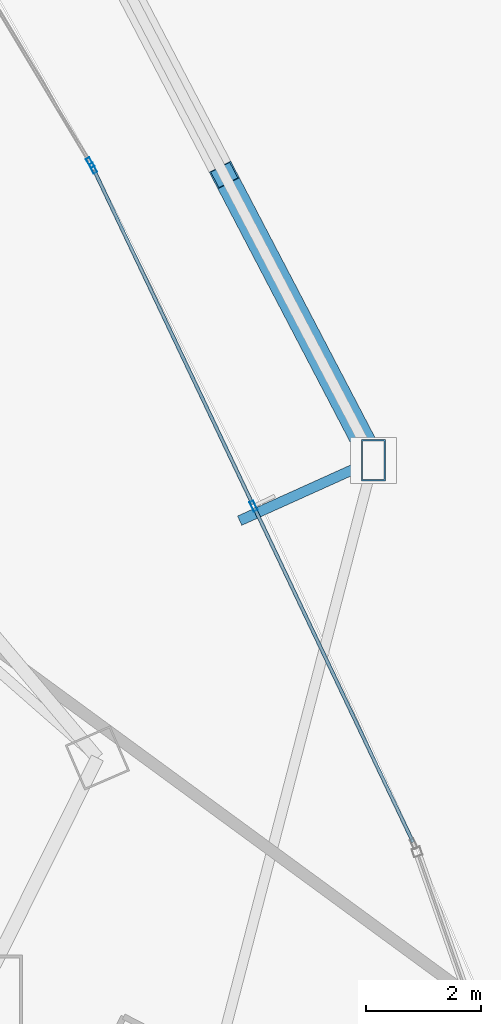
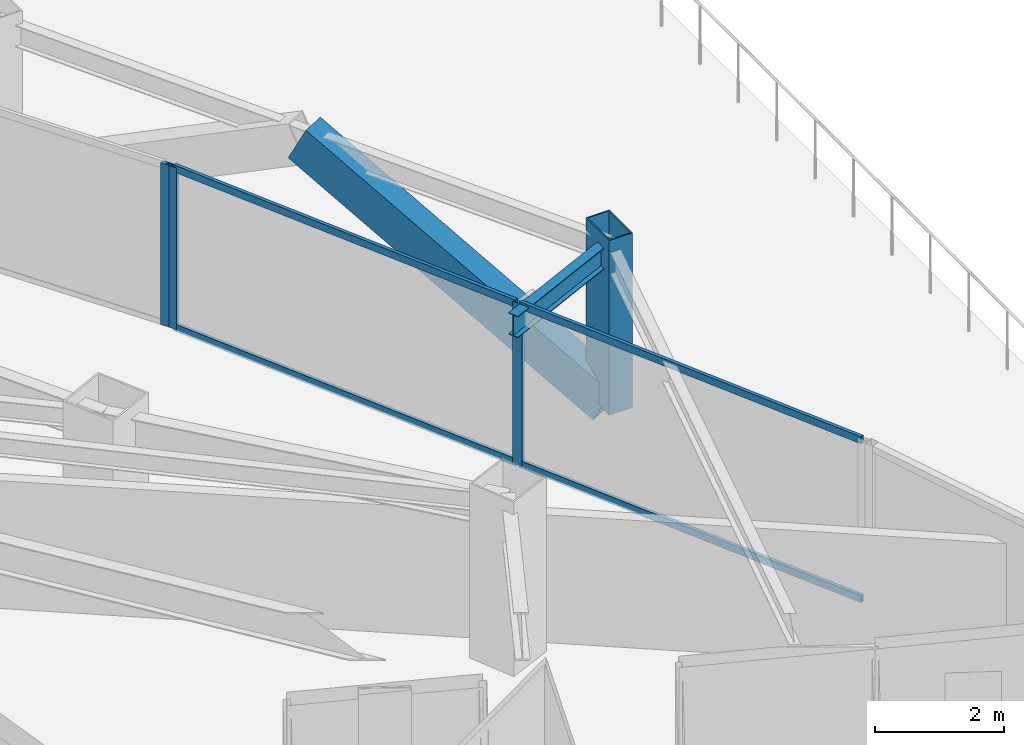
# One storey, part 19 of 36: 9 members, 1 beam, 2 elements without a shape of their own.
"""IFC4 building model written with IfcOpenShell, lengths in metres."""

from ifc_helpers import new_model, si_unit, direction, frame, origin, origin_2d, place, context, subcontext, project, spatial, hollow_rectangle, i_section, extrude, material, layer, layer_set, material_profile, profile_set, type_object, element, aggregate, save


model = new_model("IFC4")

# Units and contexts
model_context = context("Model", 3, precision=1e-05, world=origin(), true_north=direction((0.0, 1.0)))
body_context = subcontext(model_context, "Body", "Model", "MODEL_VIEW")
ifc_project = project(units=[si_unit("LENGTHUNIT", "METRE"), si_unit("AREAUNIT", "SQUARE_METRE"), si_unit("VOLUMEUNIT", "CUBIC_METRE"), si_unit("PLANEANGLEUNIT", "RADIAN"), si_unit("MASSUNIT", "GRAM", prefix="KILO")], contexts=[model_context])

# Site, building, storey
site_placement = place(None, origin())
site = spatial("IfcSite", under=ifc_project, at=site_placement, CompositionType="ELEMENT")
building_placement = place(site_placement, origin())
building = spatial("IfcBuilding", under=site, at=building_placement, Name="Orvanel Arch Residences", CompositionType="ELEMENT")
storey_placement = place(building_placement, frame((0.0, 0.0, 23.60009765625)))
storey = spatial("IfcBuildingStorey", under=building, at=storey_placement, Name="L05", CompositionType="ELEMENT", Elevation=23.60009765625)

# Members
ifc_material_1 = material(Name="Structural steel AS/NZS 3678 Grade 350", Category="steel")
ifc_material_profile_1 = material_profile(ifc_material_1, hollow_rectangle(XDim=0.419921875, YDim=0.719970703125, WallThickness=0.02490234375, at=origin_2d()), Name="RHS720x420x25")
ifc_profile_set_1 = profile_set([ifc_material_profile_1], Name="Structural steel AS/NZS 3678 Grade 350")
member_type_1 = type_object("IfcMemberType", Name="BR-720RHS-EXT", PredefinedType="BRACE", material=ifc_profile_set_1)
member_1_placement = place(storey_placement, frame((58.701904296875, 19.75390625, 0.0), z_axis=(-0.412293168802, 0.789503343689, 0.454641411734), x_axis=(-0.886410560858, -0.462899900193, 0.0)))
element("IfcMember", 1, at=member_1_placement, inside=storey, type_object=member_type_1, Name="L05 Exterior Sky-Garden V-Frame Chevron F3B1.1", PredefinedType="BRACE", context=body_context, shape_type="SweptSolid", body=[
    extrude(hollow_rectangle(XDim=0.419921875, YDim=0.719970703125, WallThickness=0.02490234375, at=origin_2d()), origin(), (0.0, 0.0, 1.0), 6.283935546875),
])
ifc_material_profile_2 = material_profile(ifc_material_1, hollow_rectangle(XDim=0.419921875, YDim=0.719970703125, WallThickness=0.02490234375, at=origin_2d()), Name="RHS720x420x25")
ifc_profile_set_2 = profile_set([ifc_material_profile_2], Name="Structural steel AS/NZS 3678 Grade 350")
member_type_2 = type_object("IfcMemberType", Name="CH-720RHS-EXT", PredefinedType="CHORD", material=ifc_profile_set_2)
member_2_placement = place(storey_placement, frame((58.701904296875, 19.75390625, 0.0), z_axis=(0.0, 0.0, 1.0), x_axis=(1.0, 0.0, 0.0)))
element("IfcMember", 2, at=member_2_placement, inside=storey, type_object=member_type_2, Name="L05 Outer Perimeter Frame Post 09", PredefinedType="CHORD", context=body_context, shape_type="SweptSolid", body=[
    extrude(hollow_rectangle(XDim=0.419921875, YDim=0.719970703125, WallThickness=0.02490234375, at=origin_2d()), origin(), (0.0, 0.0, 1.0), 3.2998046875),
])

# Curtain wall, members
ifc_material_2 = material(Name="Bronze-anodised aluminium AA6063-T6", Category="aluminium")
ifc_layer = layer(ifc_material_2, 0.179931640625)
ifc_layer_set = layer_set([ifc_layer], Name="Bronze-anodised aluminium AA6063-T6")
curtain_wall_type = type_object("IfcCurtainWallType", Name="CW2-LOW-SYS", PredefinedType="NOTDEFINED", material=ifc_layer_set)
curtain_wall_1_placement = place(storey_placement, origin())
curtain_wall_1 = element("IfcCurtainWall", 3, at=curtain_wall_1_placement, inside=storey, type_object=curtain_wall_type, Name="L05 CW2-LOW-SYS Unitised Curtain Wall", PredefinedType="NOTDEFINED")
ifc_material_profile_3 = material_profile(ifc_material_2, hollow_rectangle(XDim=0.070068359375, YDim=0.179931640625, WallThickness=0.00439453125, at=origin_2d()), Name="ALU180x70x4.5")
ifc_profile_set_3 = profile_set([ifc_material_profile_3], Name="Bronze-anodised aluminium AA6063-T6")
member_type_3 = type_object("IfcMemberType", Name="MUL-180x70", PredefinedType="MULLION", material=ifc_profile_set_3)
member_3_placement = place(storey_placement, frame((56.618896484375, 18.95947265625, 0.0), z_axis=(0.0, 0.0, 1.0), x_axis=(-0.903402710016, -0.428793124403, 0.0)))
member_3 = element("IfcMember", 4, at=member_3_placement, type_object=member_type_3, Name="CW-S2 mullion 2", PredefinedType="MULLION", context=body_context, shape_type="SweptSolid", body=[
    extrude(hollow_rectangle(XDim=0.070068359375, YDim=0.179931640625, WallThickness=0.00439453125, at=origin_2d()), origin(), (0.0, 0.0, 1.0), 3.059814453125),
])
member_4_placement = place(storey_placement, frame((53.8310546875, 24.83349609375, 0.0), z_axis=(0.0, 0.0, 1.0), x_axis=(-0.903402710016, -0.428793124403, 0.0)))
member_4 = element("IfcMember", 5, at=member_4_placement, type_object=member_type_3, Name="CW-S2 mullion 3", PredefinedType="MULLION", context=body_context, shape_type="SweptSolid", body=[
    extrude(hollow_rectangle(XDim=0.070068359375, YDim=0.179931640625, WallThickness=0.00439453125, at=origin_2d()), origin(), (0.0, 0.0, 1.0), 3.059814453125),
])

# Curtain wall, member
curtain_wall_2_placement = place(storey_placement, origin())
curtain_wall_2 = element("IfcCurtainWall", 6, at=curtain_wall_2_placement, inside=storey, type_object=curtain_wall_type, Name="L05 CW2-LOW-SYS Unitised Curtain Wall", PredefinedType="NOTDEFINED")
member_5_placement = place(storey_placement, frame((53.779052734375, 24.929931640625, 0.0), z_axis=(0.0, 0.0, 1.0), x_axis=(-0.857540386644, -0.514416645603, 0.0)))
member_5 = element("IfcMember", 7, at=member_5_placement, type_object=member_type_3, Name="CW-S2 mullion 1", PredefinedType="MULLION", context=body_context, shape_type="SweptSolid", body=[
    extrude(hollow_rectangle(XDim=0.070068359375, YDim=0.179931640625, WallThickness=0.00439453125, at=origin_2d()), origin(), (0.0, 0.0, 1.0), 3.059814453125),
])
aggregate(curtain_wall_2, [member_5])

# Beam
ifc_material_3 = material(Name="Structural steel AS/NZS 3679.1 Grade 300 (300 MPa)", Category="steel")
ifc_material_profile_4 = material_profile(ifc_material_3, i_section(OverallWidth=0.177978515625, OverallDepth=0.406005859375, WebThickness=0.0078125, FlangeThickness=0.0126953125, at=origin_2d()), Name="410UB59.7")
ifc_profile_set_4 = profile_set([ifc_material_profile_4], Name="Structural steel AS/NZS 3679.1 Grade 300 (300 MPa)")
beam_type = type_object("IfcBeamType", Name="OB-410UB-EXT", PredefinedType="SPANDREL", material=ifc_profile_set_4)
beam_placement = place(storey_placement, frame((56.3779296875, 18.705078125, 2.85693359375), z_axis=(0.911474847894, 0.411355809072, 0.0), x_axis=(-0.411355809072, 0.911474847894, 0.0)))
element("IfcBeam", 8, at=beam_placement, inside=storey, type_object=beam_type, Name="L05 Outer Frame Radial Tie Beam 09", PredefinedType="SPANDREL", context=body_context, shape_type="SweptSolid", body=[
    extrude(i_section(OverallWidth=0.177978515625, OverallDepth=0.406005859375, WebThickness=0.0078125, FlangeThickness=0.0126953125, at=origin_2d()), origin(), (0.0, 0.0, 1.0), 2.5498046875),
])

# Member
ifc_material_profile_5 = material_profile(ifc_material_2, hollow_rectangle(XDim=0.06005859375, YDim=0.135009765625, WallThickness=0.00390625, at=origin_2d()), Name="ALU135x60x4")
ifc_profile_set_5 = profile_set([ifc_material_profile_5], Name="Bronze-anodised aluminium AA6063-T6")
member_type_4 = type_object("IfcMemberType", Name="TRN-135x60", PredefinedType="USERDEFINED", material=ifc_profile_set_5)
member_6_placement = place(storey_placement, frame((59.39208984375, 13.1171875, 0.02978515625), z_axis=(-0.428794333507, 0.903402136124, 0.0), x_axis=(-0.903402136124, -0.428794333507, 0.0)))
member_6 = element("IfcMember", 9, at=member_6_placement, type_object=member_type_4, Name="CW-S2 transom 1.1", ObjectType="TRANSOM", PredefinedType="USERDEFINED", context=body_context, shape_type="SweptSolid", body=[
    extrude(hollow_rectangle(XDim=0.06005859375, YDim=0.135009765625, WallThickness=0.00390625, at=origin_2d()), origin(), (0.0, 0.0, 1.0), 6.43212890625),
])

member_7_placement = place(storey_placement, frame((59.39208984375, 13.1171875, 3.02978515625), z_axis=(-0.428794333507, 0.903402136124, 0.0), x_axis=(-0.903402136124, -0.428794333507, 0.0)))
member_7 = element("IfcMember", 10, at=member_7_placement, type_object=member_type_4, Name="CW-S2 transom 1.2", ObjectType="TRANSOM", PredefinedType="USERDEFINED", context=body_context, shape_type="SweptSolid", body=[
    extrude(hollow_rectangle(XDim=0.06005859375, YDim=0.135009765625, WallThickness=0.00390625, at=origin_2d()), origin(), (0.0, 0.0, 1.0), 6.43212890625),
])

member_8_placement = place(storey_placement, frame((56.60400390625, 18.9912109375, 0.02978515625), z_axis=(-0.428809037296, 0.903395156913, 0.0), x_axis=(-0.903395156913, -0.428809037296, 0.0)))
member_8 = element("IfcMember", 11, at=member_8_placement, type_object=member_type_4, Name="CW-S2 transom 2.1", ObjectType="TRANSOM", PredefinedType="USERDEFINED", context=body_context, shape_type="SweptSolid", body=[
    extrude(hollow_rectangle(XDim=0.06005859375, YDim=0.135009765625, WallThickness=0.00390625, at=origin_2d()), origin(), (0.0, 0.0, 1.0), 6.431884765625),
])

member_9_placement = place(storey_placement, frame((56.60400390625, 18.9912109375, 3.02978515625), z_axis=(-0.428809037296, 0.903395156913, 0.0), x_axis=(-0.903395156913, -0.428809037296, 0.0)))
member_9 = element("IfcMember", 12, at=member_9_placement, type_object=member_type_4, Name="CW-S2 transom 2.2", ObjectType="TRANSOM", PredefinedType="USERDEFINED", context=body_context, shape_type="SweptSolid", body=[
    extrude(hollow_rectangle(XDim=0.06005859375, YDim=0.135009765625, WallThickness=0.00390625, at=origin_2d()), origin(), (0.0, 0.0, 1.0), 6.431884765625),
])

aggregate(curtain_wall_1, [member_3, member_4, member_6, member_7, member_8, member_9])

save(model, "model.ifc")
